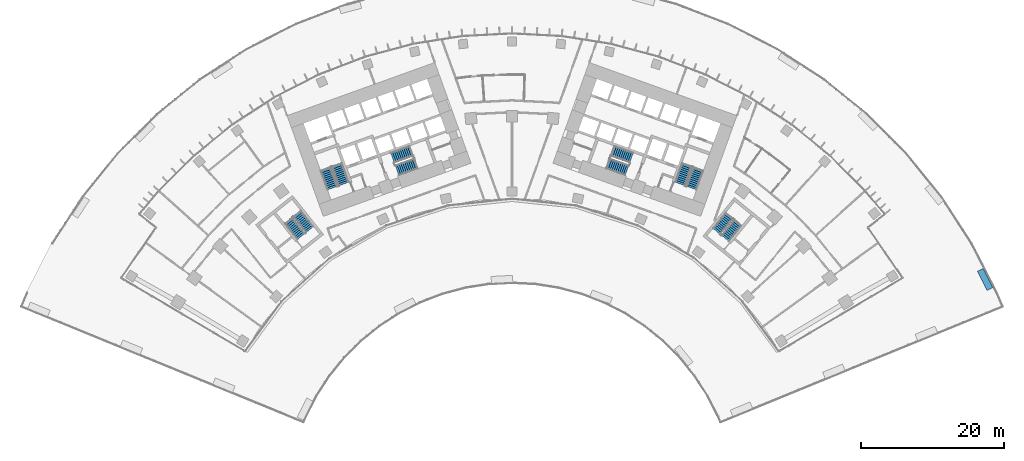
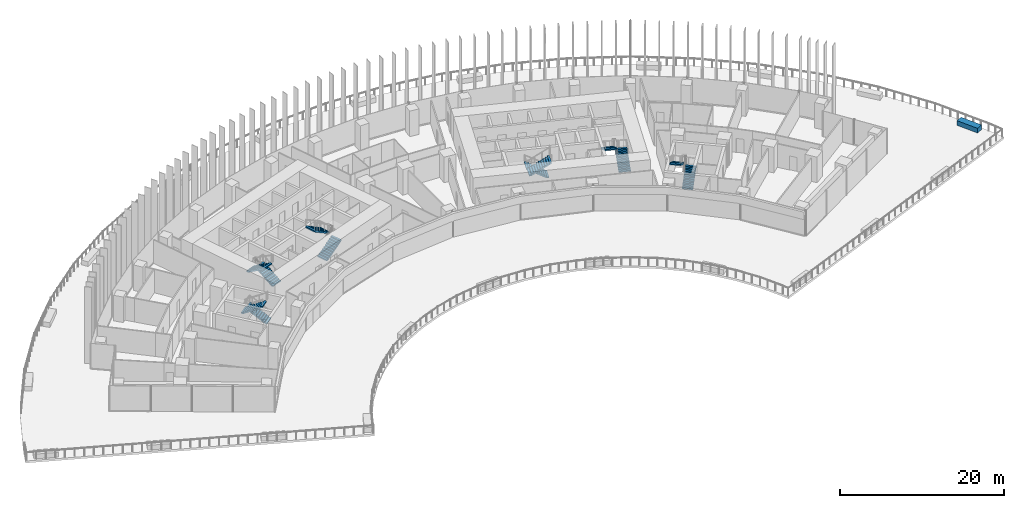
# One storey, part 21 of 24: 12 stair flights, 1 wall, 6 elements without a shape of their own.
"""IFC4 building model written with IfcOpenShell, lengths in metres."""

from ifc_helpers import new_model, si_unit, direction, frame, origin, origin_2d, place, context, subcontext, project, spatial, polyline, rectangle, outline, extrude, material, layer, layer_set, type_object, element, aggregate, save


model = new_model("IFC4")

# Units and contexts
model_context = context("Model", 3, precision=1e-05, world=origin(), true_north=direction((0.0, 1.0)))
body_context = subcontext(model_context, "Body", "Model", "MODEL_VIEW")
ifc_project = project(units=[si_unit("LENGTHUNIT", "METRE"), si_unit("AREAUNIT", "SQUARE_METRE"), si_unit("VOLUMEUNIT", "CUBIC_METRE"), si_unit("PLANEANGLEUNIT", "RADIAN"), si_unit("MASSUNIT", "GRAM", prefix="KILO")], contexts=[model_context])

# Site, building, storey
site_placement = place(None, origin())
site = spatial("IfcSite", under=ifc_project, at=site_placement, CompositionType="ELEMENT")
building_placement = place(site_placement, origin())
building = spatial("IfcBuilding", under=site, at=building_placement, Name="Stone Belt Terrace Tower", CompositionType="ELEMENT")
storey_placement = place(building_placement, frame((0.0, 0.0, 30.0)))
storey = spatial("IfcBuildingStorey", under=building, at=storey_placement, Name="L06", CompositionType="ELEMENT", Elevation=30.0)

# Wall
ifc_material_1 = material(Name="Precast concrete C40/50", Category="concrete")
ifc_layer = layer(ifc_material_1, 0.89990234375)
ifc_layer_set = layer_set([ifc_layer], Name="Planter box 900 x 700")
wall_type = type_object("IfcWallType", Name="Planter box 900 x 700", PredefinedType="SOLIDWALL", material=ifc_layer_set)
wall_placement = place(storey_placement, frame((66.285400390625, 32.130859375, 0.0), z_axis=(0.0, 0.0, 1.0), x_axis=(-0.45399049974, 0.891006524188, 0.0)))
element("IfcWall", 1, at=wall_placement, inside=storey, type_object=wall_type, Name="PLANTER L06 1", PredefinedType="SOLIDWALL", context=body_context, shape_type="SweptSolid", body=[
    extrude(rectangle(XDim=3.0, YDim=0.89990234375, at=origin_2d()), origin(), (0.0, 0.0, 1.0), 0.699951171875),
])

# Stair, stair flights
ifc_material_2 = material(Name="Concrete B40", Category="concrete")
stair_type = type_object("IfcStairType", Name="Exit stair 1500", PredefinedType="HALF_TURN_STAIR", material=ifc_material_2)
stair_1_placement = place(storey_placement, origin())
stair_1 = element("IfcStair", 2, at=stair_1_placement, inside=storey, type_object=stair_type, Name="L06 Exit stair 1 core A", PredefinedType="HALF_TURN_STAIR")
stair_flight_type = type_object("IfcStairFlightType", Name="Stair flight 1500", PredefinedType="STRAIGHT", material=ifc_material_2)
stair_flight_1_placement = place(storey_placement, frame((-23.55322265625, 45.51318359375, 0.0), z_axis=(0.0, 0.0, 1.0), x_axis=(-0.338624396177, 0.940921632398, 0.0)))
stair_flight_1 = element("IfcStairFlight", 3, at=stair_flight_1_placement, type_object=stair_flight_type, Name="ST1A flight 1", NumberOfRisers=11, NumberOfTreads=10, PredefinedType="STRAIGHT", RiserHeight=0.172727273, TreadLength=0.28, context=body_context, shape_type="SweptSolid", body=[
    extrude(outline(polyline([(0.0, 0.0), (0.0, 0.172607421875), (0.280029296875, 0.172607421875), (0.280029296875, 0.345458984375), (0.56005859375, 0.345458984375), (0.56005859375, 0.51806640625), (0.840087890625, 0.51806640625), (0.840087890625, 0.69091796875), (1.1201171875, 0.69091796875), (1.1201171875, 0.863525390625), (1.39990234375, 0.863525390625), (1.39990234375, 1.036376953125), (1.679931640625, 1.036376953125), (1.679931640625, 1.208984375), (1.9599609375, 1.208984375), (1.9599609375, 1.3818359375), (2.239990234375, 1.3818359375), (2.239990234375, 1.554443359375), (2.52001953125, 1.554443359375), (2.52001953125, 1.727294921875), (2.800048828125, 1.727294921875), (2.800048828125, 1.89990234375), (2.800048828125, 1.551025390625), (0.285400390625, 0.0), (0.0, 0.0)])), frame((0.0, 0.75, 0.0), z_axis=(0.0, -1.0, 0.0), x_axis=(1.0, 0.0, 0.0)), (0.0, 0.0, 1.0), 1.5),
])
stair_flight_2_placement = place(storey_placement, frame((-26.10107421875, 47.572021484375, 1.89990234375), z_axis=(0.0, 0.0, 1.0), x_axis=(0.338624396177, -0.940921632398, 0.0)))
stair_flight_2 = element("IfcStairFlight", 4, at=stair_flight_2_placement, type_object=stair_flight_type, Name="ST1A flight 2", NumberOfRisers=11, NumberOfTreads=10, PredefinedType="STRAIGHT", RiserHeight=0.172727273, TreadLength=0.28, context=body_context, shape_type="SweptSolid", body=[
    extrude(outline(polyline([(0.0, 0.0), (0.0, 0.172607421875), (0.280029296875, 0.172607421875), (0.280029296875, 0.345458984375), (0.56005859375, 0.345458984375), (0.56005859375, 0.51806640625), (0.840087890625, 0.51806640625), (0.840087890625, 0.69091796875), (1.1201171875, 0.69091796875), (1.1201171875, 0.863525390625), (1.39990234375, 0.863525390625), (1.39990234375, 1.036376953125), (1.679931640625, 1.036376953125), (1.679931640625, 1.208984375), (1.9599609375, 1.208984375), (1.9599609375, 1.3818359375), (2.239990234375, 1.3818359375), (2.239990234375, 1.554443359375), (2.52001953125, 1.554443359375), (2.52001953125, 1.727294921875), (2.800048828125, 1.727294921875), (2.800048828125, 1.89990234375), (2.800048828125, 1.551025390625), (0.285400390625, 0.0), (0.0, 0.0)])), frame((0.0, 0.75, 0.0), z_axis=(0.0, -1.0, 0.0), x_axis=(1.0, 0.0, 0.0)), (0.0, 0.0, 1.0), 1.5),
])
aggregate(stair_1, [stair_flight_1, stair_flight_2])

stair_2_placement = place(storey_placement, origin())
stair_2 = element("IfcStair", 5, at=stair_2_placement, inside=storey, type_object=stair_type, Name="L06 Exit stair 2 core A", PredefinedType="HALF_TURN_STAIR")
stair_flight_3_placement = place(storey_placement, frame((-16.101318359375, 47.39794921875, 0.0), z_axis=(0.0, 0.0, 1.0), x_axis=(0.940921632398, 0.338624396177, 0.0)))
stair_flight_3 = element("IfcStairFlight", 6, at=stair_flight_3_placement, type_object=stair_flight_type, Name="ST2A flight 1", NumberOfRisers=11, NumberOfTreads=10, PredefinedType="STRAIGHT", RiserHeight=0.172727273, TreadLength=0.28, context=body_context, shape_type="SweptSolid", body=[
    extrude(outline(polyline([(0.0, 0.0), (0.0, 0.172607421875), (0.280029296875, 0.172607421875), (0.280029296875, 0.345458984375), (0.56005859375, 0.345458984375), (0.56005859375, 0.51806640625), (0.840087890625, 0.51806640625), (0.840087890625, 0.69091796875), (1.1201171875, 0.69091796875), (1.1201171875, 0.863525390625), (1.39990234375, 0.863525390625), (1.39990234375, 1.036376953125), (1.679931640625, 1.036376953125), (1.679931640625, 1.208984375), (1.9599609375, 1.208984375), (1.9599609375, 1.3818359375), (2.239990234375, 1.3818359375), (2.239990234375, 1.554443359375), (2.52001953125, 1.554443359375), (2.52001953125, 1.727294921875), (2.800048828125, 1.727294921875), (2.800048828125, 1.89990234375), (2.800048828125, 1.551025390625), (0.285400390625, 0.0), (0.0, 0.0)])), frame((0.0, 0.75, 0.0), z_axis=(0.0, -1.0, 0.0), x_axis=(1.0, 0.0, 0.0)), (0.0, 0.0, 1.0), 1.5),
])
stair_flight_4_placement = place(storey_placement, frame((-14.110107421875, 50.1337890625, 1.89990234375), z_axis=(0.0, 0.0, 1.0), x_axis=(-0.940921632398, -0.338624396177, 0.0)))
stair_flight_4 = element("IfcStairFlight", 7, at=stair_flight_4_placement, type_object=stair_flight_type, Name="ST2A flight 2", NumberOfRisers=11, NumberOfTreads=10, PredefinedType="STRAIGHT", RiserHeight=0.172727273, TreadLength=0.28, context=body_context, shape_type="SweptSolid", body=[
    extrude(outline(polyline([(0.0, 0.0), (0.0, 0.172607421875), (0.280029296875, 0.172607421875), (0.280029296875, 0.345458984375), (0.56005859375, 0.345458984375), (0.56005859375, 0.51806640625), (0.840087890625, 0.51806640625), (0.840087890625, 0.69091796875), (1.1201171875, 0.69091796875), (1.1201171875, 0.863525390625), (1.39990234375, 0.863525390625), (1.39990234375, 1.036376953125), (1.679931640625, 1.036376953125), (1.679931640625, 1.208984375), (1.9599609375, 1.208984375), (1.9599609375, 1.3818359375), (2.239990234375, 1.3818359375), (2.239990234375, 1.554443359375), (2.52001953125, 1.554443359375), (2.52001953125, 1.727294921875), (2.800048828125, 1.727294921875), (2.800048828125, 1.89990234375), (2.800048828125, 1.551025390625), (0.285400390625, 0.0), (0.0, 0.0)])), frame((0.0, 0.75, 0.0), z_axis=(0.0, -1.0, 0.0), x_axis=(1.0, 0.0, 0.0)), (0.0, 0.0, 1.0), 1.5),
])
aggregate(stair_2, [stair_flight_3, stair_flight_4])

stair_3_placement = place(storey_placement, origin())
stair_3 = element("IfcStair", 8, at=stair_3_placement, inside=storey, type_object=stair_type, Name="L06 Exit stair 1 core B", PredefinedType="HALF_TURN_STAIR")
stair_flight_5_placement = place(storey_placement, frame((25.15283203125, 44.9375, 0.0), z_axis=(0.0, 0.0, 1.0), x_axis=(0.338624396177, 0.940921632398, 0.0)))
stair_flight_5 = element("IfcStairFlight", 9, at=stair_flight_5_placement, type_object=stair_flight_type, Name="ST1B flight 1", NumberOfRisers=11, NumberOfTreads=10, PredefinedType="STRAIGHT", RiserHeight=0.172727273, TreadLength=0.28, context=body_context, shape_type="SweptSolid", body=[
    extrude(outline(polyline([(0.0, 0.0), (0.0, 0.172607421875), (0.280029296875, 0.172607421875), (0.280029296875, 0.345458984375), (0.56005859375, 0.345458984375), (0.56005859375, 0.51806640625), (0.840087890625, 0.51806640625), (0.840087890625, 0.69091796875), (1.1201171875, 0.69091796875), (1.1201171875, 0.863525390625), (1.39990234375, 0.863525390625), (1.39990234375, 1.036376953125), (1.679931640625, 1.036376953125), (1.679931640625, 1.208984375), (1.9599609375, 1.208984375), (1.9599609375, 1.3818359375), (2.239990234375, 1.3818359375), (2.239990234375, 1.554443359375), (2.52001953125, 1.554443359375), (2.52001953125, 1.727294921875), (2.800048828125, 1.727294921875), (2.800048828125, 1.89990234375), (2.800048828125, 1.551025390625), (0.285400390625, 0.0), (0.0, 0.0)])), frame((0.0, 0.75, 0.0), z_axis=(0.0, -1.0, 0.0), x_axis=(1.0, 0.0, 0.0)), (0.0, 0.0, 1.0), 1.5),
])
stair_flight_6_placement = place(storey_placement, frame((24.50146484375, 48.147705078125, 1.89990234375), z_axis=(0.0, 0.0, 1.0), x_axis=(-0.338624396177, -0.940921632398, 0.0)))
stair_flight_6 = element("IfcStairFlight", 10, at=stair_flight_6_placement, type_object=stair_flight_type, Name="ST1B flight 2", NumberOfRisers=11, NumberOfTreads=10, PredefinedType="STRAIGHT", RiserHeight=0.172727273, TreadLength=0.28, context=body_context, shape_type="SweptSolid", body=[
    extrude(outline(polyline([(0.0, 0.0), (0.0, 0.172607421875), (0.280029296875, 0.172607421875), (0.280029296875, 0.345458984375), (0.56005859375, 0.345458984375), (0.56005859375, 0.51806640625), (0.840087890625, 0.51806640625), (0.840087890625, 0.69091796875), (1.1201171875, 0.69091796875), (1.1201171875, 0.863525390625), (1.39990234375, 0.863525390625), (1.39990234375, 1.036376953125), (1.679931640625, 1.036376953125), (1.679931640625, 1.208984375), (1.9599609375, 1.208984375), (1.9599609375, 1.3818359375), (2.239990234375, 1.3818359375), (2.239990234375, 1.554443359375), (2.52001953125, 1.554443359375), (2.52001953125, 1.727294921875), (2.800048828125, 1.727294921875), (2.800048828125, 1.89990234375), (2.800048828125, 1.551025390625), (0.285400390625, 0.0), (0.0, 0.0)])), frame((0.0, 0.75, 0.0), z_axis=(0.0, -1.0, 0.0), x_axis=(1.0, 0.0, 0.0)), (0.0, 0.0, 1.0), 1.5),
])
aggregate(stair_3, [stair_flight_5, stair_flight_6])

stair_4_placement = place(storey_placement, origin())
stair_4 = element("IfcStair", 11, at=stair_4_placement, inside=storey, type_object=stair_type, Name="L06 Exit stair 2 core B", PredefinedType="HALF_TURN_STAIR")
stair_flight_7_placement = place(storey_placement, frame((16.74462890625, 49.185546875, 0.0), z_axis=(0.0, 0.0, 1.0), x_axis=(-0.940921632398, 0.338624396177, 0.0)))
stair_flight_7 = element("IfcStairFlight", 12, at=stair_flight_7_placement, type_object=stair_flight_type, Name="ST2B flight 1", NumberOfRisers=11, NumberOfTreads=10, PredefinedType="STRAIGHT", RiserHeight=0.172727273, TreadLength=0.28, context=body_context, shape_type="SweptSolid", body=[
    extrude(outline(polyline([(0.0, 0.0), (0.0, 0.172607421875), (0.280029296875, 0.172607421875), (0.280029296875, 0.345458984375), (0.56005859375, 0.345458984375), (0.56005859375, 0.51806640625), (0.840087890625, 0.51806640625), (0.840087890625, 0.69091796875), (1.1201171875, 0.69091796875), (1.1201171875, 0.863525390625), (1.39990234375, 0.863525390625), (1.39990234375, 1.036376953125), (1.679931640625, 1.036376953125), (1.679931640625, 1.208984375), (1.9599609375, 1.208984375), (1.9599609375, 1.3818359375), (2.239990234375, 1.3818359375), (2.239990234375, 1.554443359375), (2.52001953125, 1.554443359375), (2.52001953125, 1.727294921875), (2.800048828125, 1.727294921875), (2.800048828125, 1.89990234375), (2.800048828125, 1.551025390625), (0.285400390625, 0.0), (0.0, 0.0)])), frame((0.0, 0.75, 0.0), z_axis=(0.0, -1.0, 0.0), x_axis=(1.0, 0.0, 0.0)), (0.0, 0.0, 1.0), 1.5),
])
stair_flight_8_placement = place(storey_placement, frame((13.466796875, 48.345947265625, 1.89990234375), z_axis=(0.0, 0.0, 1.0), x_axis=(0.940921632398, -0.338624396177, 0.0)))
stair_flight_8 = element("IfcStairFlight", 13, at=stair_flight_8_placement, type_object=stair_flight_type, Name="ST2B flight 2", NumberOfRisers=11, NumberOfTreads=10, PredefinedType="STRAIGHT", RiserHeight=0.172727273, TreadLength=0.28, context=body_context, shape_type="SweptSolid", body=[
    extrude(outline(polyline([(0.0, 0.0), (0.0, 0.172607421875), (0.280029296875, 0.172607421875), (0.280029296875, 0.345458984375), (0.56005859375, 0.345458984375), (0.56005859375, 0.51806640625), (0.840087890625, 0.51806640625), (0.840087890625, 0.69091796875), (1.1201171875, 0.69091796875), (1.1201171875, 0.863525390625), (1.39990234375, 0.863525390625), (1.39990234375, 1.036376953125), (1.679931640625, 1.036376953125), (1.679931640625, 1.208984375), (1.9599609375, 1.208984375), (1.9599609375, 1.3818359375), (2.239990234375, 1.3818359375), (2.239990234375, 1.554443359375), (2.52001953125, 1.554443359375), (2.52001953125, 1.727294921875), (2.800048828125, 1.727294921875), (2.800048828125, 1.89990234375), (2.800048828125, 1.551025390625), (0.285400390625, 0.0), (0.0, 0.0)])), frame((0.0, 0.75, 0.0), z_axis=(0.0, -1.0, 0.0), x_axis=(1.0, 0.0, 0.0)), (0.0, 0.0, 1.0), 1.5),
])
aggregate(stair_4, [stair_flight_7, stair_flight_8])

stair_5_placement = place(storey_placement, origin())
stair_5 = element("IfcStair", 14, at=stair_5_placement, inside=storey, type_object=stair_type, Name="L06 Exit stair 3A", PredefinedType="HALF_TURN_STAIR")
stair_flight_9_placement = place(storey_placement, frame((-28.325439453125, 39.1240234375, 0.0), z_axis=(0.0, 0.0, 1.0), x_axis=(-0.623121363691, 0.782125160132, 0.0)))
stair_flight_9 = element("IfcStairFlight", 15, at=stair_flight_9_placement, type_object=stair_flight_type, Name="ST3A flight 1", NumberOfRisers=11, NumberOfTreads=10, PredefinedType="STRAIGHT", RiserHeight=0.172727273, TreadLength=0.28, context=body_context, shape_type="SweptSolid", body=[
    extrude(outline(polyline([(0.0, 0.0), (0.0, 0.172607421875), (0.280029296875, 0.172607421875), (0.280029296875, 0.345458984375), (0.56005859375, 0.345458984375), (0.56005859375, 0.51806640625), (0.840087890625, 0.51806640625), (0.840087890625, 0.69091796875), (1.1201171875, 0.69091796875), (1.1201171875, 0.863525390625), (1.39990234375, 0.863525390625), (1.39990234375, 1.036376953125), (1.679931640625, 1.036376953125), (1.679931640625, 1.208984375), (1.9599609375, 1.208984375), (1.9599609375, 1.3818359375), (2.239990234375, 1.3818359375), (2.239990234375, 1.554443359375), (2.52001953125, 1.554443359375), (2.52001953125, 1.727294921875), (2.800048828125, 1.727294921875), (2.800048828125, 1.89990234375), (2.800048828125, 1.551025390625), (0.285400390625, 0.0), (0.0, 0.0)])), frame((0.0, 0.675048828125, 0.0), z_axis=(0.0, -1.0, 0.0), x_axis=(1.0, 0.0, 0.0)), (0.0, 0.0, 1.0), 1.35009765625),
])
stair_flight_10_placement = place(storey_placement, frame((-31.282470703125, 40.34814453125, 1.89990234375), z_axis=(0.0, 0.0, 1.0), x_axis=(0.623121363691, -0.782125160132, 0.0)))
stair_flight_10 = element("IfcStairFlight", 16, at=stair_flight_10_placement, type_object=stair_flight_type, Name="ST3A flight 2", NumberOfRisers=11, NumberOfTreads=10, PredefinedType="STRAIGHT", RiserHeight=0.172727273, TreadLength=0.28, context=body_context, shape_type="SweptSolid", body=[
    extrude(outline(polyline([(0.0, 0.0), (0.0, 0.172607421875), (0.280029296875, 0.172607421875), (0.280029296875, 0.345458984375), (0.56005859375, 0.345458984375), (0.56005859375, 0.51806640625), (0.840087890625, 0.51806640625), (0.840087890625, 0.69091796875), (1.1201171875, 0.69091796875), (1.1201171875, 0.863525390625), (1.39990234375, 0.863525390625), (1.39990234375, 1.036376953125), (1.679931640625, 1.036376953125), (1.679931640625, 1.208984375), (1.9599609375, 1.208984375), (1.9599609375, 1.3818359375), (2.239990234375, 1.3818359375), (2.239990234375, 1.554443359375), (2.52001953125, 1.554443359375), (2.52001953125, 1.727294921875), (2.800048828125, 1.727294921875), (2.800048828125, 1.89990234375), (2.800048828125, 1.551025390625), (0.285400390625, 0.0), (0.0, 0.0)])), frame((0.0, 0.675048828125, 0.0), z_axis=(0.0, -1.0, 0.0), x_axis=(1.0, 0.0, 0.0)), (0.0, 0.0, 1.0), 1.35009765625),
])
aggregate(stair_5, [stair_flight_9, stair_flight_10])

stair_6_placement = place(storey_placement, origin())
stair_6 = element("IfcStair", 17, at=stair_6_placement, inside=storey, type_object=stair_type, Name="L06 Exit stair 3B", PredefinedType="HALF_TURN_STAIR")
stair_flight_11_placement = place(storey_placement, frame((29.88330078125, 37.887939453125, 0.0), z_axis=(0.0, 0.0, 1.0), x_axis=(0.630205749599, 0.776428176441, 0.0)))
stair_flight_11 = element("IfcStairFlight", 18, at=stair_flight_11_placement, type_object=stair_flight_type, Name="ST3B flight 1", NumberOfRisers=11, NumberOfTreads=10, PredefinedType="STRAIGHT", RiserHeight=0.172727273, TreadLength=0.28, context=body_context, shape_type="SweptSolid", body=[
    extrude(outline(polyline([(0.0, 0.0), (0.0, 0.172607421875), (0.280029296875, 0.172607421875), (0.280029296875, 0.345458984375), (0.56005859375, 0.345458984375), (0.56005859375, 0.51806640625), (0.840087890625, 0.51806640625), (0.840087890625, 0.69091796875), (1.1201171875, 0.69091796875), (1.1201171875, 0.863525390625), (1.39990234375, 0.863525390625), (1.39990234375, 1.036376953125), (1.679931640625, 1.036376953125), (1.679931640625, 1.208984375), (1.9599609375, 1.208984375), (1.9599609375, 1.3818359375), (2.239990234375, 1.3818359375), (2.239990234375, 1.554443359375), (2.52001953125, 1.554443359375), (2.52001953125, 1.727294921875), (2.800048828125, 1.727294921875), (2.800048828125, 1.89990234375), (2.800048828125, 1.551025390625), (0.285400390625, 0.0), (0.0, 0.0)])), frame((0.0, 0.675048828125, 0.0), z_axis=(0.0, -1.0, 0.0), x_axis=(1.0, 0.0, 0.0)), (0.0, 0.0, 1.0), 1.35009765625),
])
stair_flight_12_placement = place(storey_placement, frame((30.4443359375, 41.038818359375, 1.89990234375), z_axis=(0.0, 0.0, 1.0), x_axis=(-0.630205749599, -0.776428176441, 0.0)))
stair_flight_12 = element("IfcStairFlight", 19, at=stair_flight_12_placement, type_object=stair_flight_type, Name="ST3B flight 2", NumberOfRisers=11, NumberOfTreads=10, PredefinedType="STRAIGHT", RiserHeight=0.172727273, TreadLength=0.28, context=body_context, shape_type="SweptSolid", body=[
    extrude(outline(polyline([(0.0, 0.0), (0.0, 0.172607421875), (0.280029296875, 0.172607421875), (0.280029296875, 0.345458984375), (0.56005859375, 0.345458984375), (0.56005859375, 0.51806640625), (0.840087890625, 0.51806640625), (0.840087890625, 0.69091796875), (1.1201171875, 0.69091796875), (1.1201171875, 0.863525390625), (1.39990234375, 0.863525390625), (1.39990234375, 1.036376953125), (1.679931640625, 1.036376953125), (1.679931640625, 1.208984375), (1.9599609375, 1.208984375), (1.9599609375, 1.3818359375), (2.239990234375, 1.3818359375), (2.239990234375, 1.554443359375), (2.52001953125, 1.554443359375), (2.52001953125, 1.727294921875), (2.800048828125, 1.727294921875), (2.800048828125, 1.89990234375), (2.800048828125, 1.551025390625), (0.285400390625, 0.0), (0.0, 0.0)])), frame((0.0, 0.675048828125, 0.0), z_axis=(0.0, -1.0, 0.0), x_axis=(1.0, 0.0, 0.0)), (0.0, 0.0, 1.0), 1.35009765625),
])
aggregate(stair_6, [stair_flight_11, stair_flight_12])

save(model, "model.ifc")
